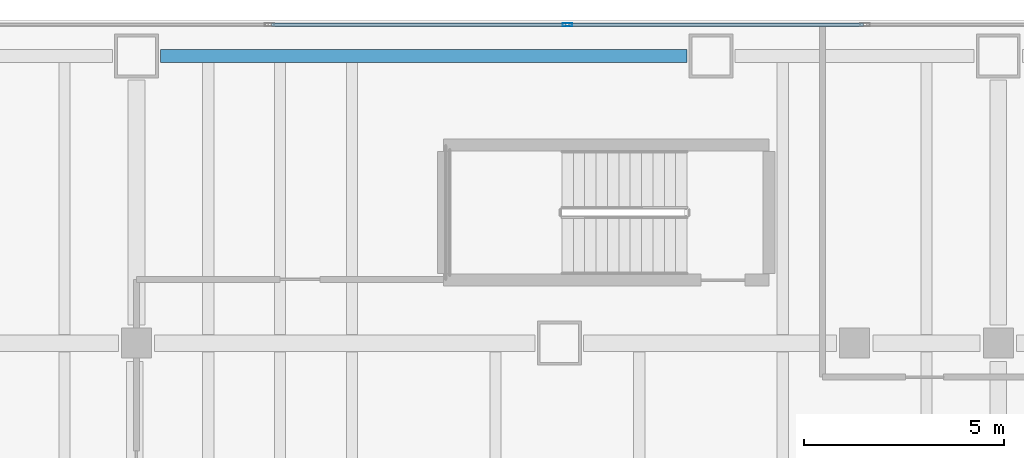
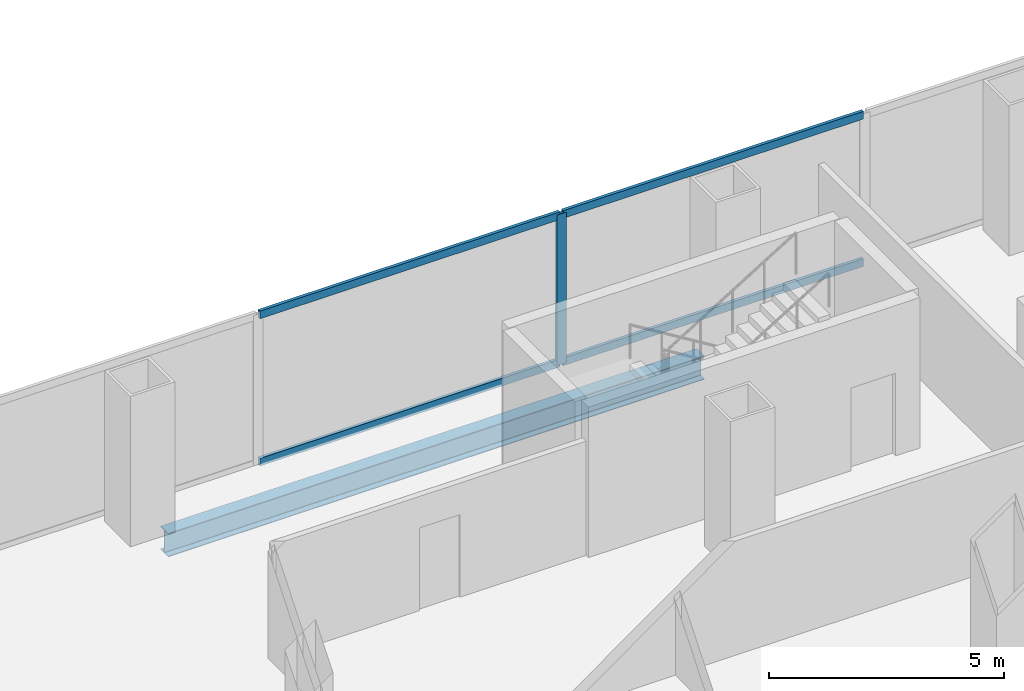
# One storey, part 12 of 28: 5 members, 1 beam, 1 element without a shape of its own.
"""IFC4 building model written with IfcOpenShell, lengths in metres."""

from ifc_helpers import new_model, si_unit, direction, frame, origin, origin_2d, place, context, subcontext, project, spatial, hollow_rectangle, i_section, extrude, material, material_profile, profile_set, type_object, element, aggregate, save


model = new_model("IFC4")

# Units and contexts
model_context = context("Model", 3, precision=1e-05, world=origin(), true_north=direction((0.0, 1.0)))
body_context = subcontext(model_context, "Body", "Model", "MODEL_VIEW")
ifc_project = project(units=[si_unit("LENGTHUNIT", "METRE"), si_unit("AREAUNIT", "SQUARE_METRE"), si_unit("VOLUMEUNIT", "CUBIC_METRE"), si_unit("PLANEANGLEUNIT", "RADIAN"), si_unit("MASSUNIT", "GRAM", prefix="KILO")], contexts=[model_context])

# Site, building, storey
site_placement = place(None, origin())
site = spatial("IfcSite", under=ifc_project, at=site_placement, CompositionType="ELEMENT")
building_placement = place(site_placement, origin())
building = spatial("IfcBuilding", under=site, at=building_placement, Name="Cobrela Telecom Tower", CompositionType="ELEMENT")
storey_placement = place(building_placement, frame((0.0, 0.0, 17.85009765625)))
storey = spatial("IfcBuildingStorey", under=building, at=storey_placement, Name="L04", CompositionType="ELEMENT", Elevation=17.85009765625)

# Beam
ifc_material_1 = material(Name="Steel ASTM A992 Grade 50", Category="steel")
ifc_material_profile_1 = material_profile(ifc_material_1, i_section(OverallWidth=0.324951171875, OverallDepth=0.612060546875, WebThickness=0.0126953125, FlangeThickness=0.01904296875, FilletRadius=0.014892578125, at=origin_2d()), Name="W24X104")
ifc_profile_set_1 = profile_set([ifc_material_profile_1], Name="Steel ASTM A992 Grade 50")
beam_type = type_object("IfcBeamType", Name="BM-SPAND-02", PredefinedType="SPANDREL", material=ifc_profile_set_1)
beam_placement = place(storey_placement, frame((15.0048828125, 49.5, -0.59619140625), z_axis=(1.0, 0.0, 0.0), x_axis=(0.0, 1.0, 0.0)))
element("IfcBeam", 1, at=beam_placement, inside=storey, type_object=beam_type, Name="L04 Perimeter Spandrel X53", PredefinedType="SPANDREL", context=body_context, shape_type="SweptSolid", body=[
    extrude(i_section(OverallWidth=0.324951171875, OverallDepth=0.612060546875, WebThickness=0.0126953125, FlangeThickness=0.01904296875, FilletRadius=0.014892578125, at=origin_2d()), origin(), (0.0, 0.0, 1.0), 13.190185546875),
])

# Curtain wall, members
ifc_material_2 = material(Name="Anodized Bronze Aluminium 6063-T6", Category="aluminium")
curtain_wall_type = type_object("IfcCurtainWallType", Name="CW-SYS-CONC", PredefinedType="USERDEFINED", material=ifc_material_2)
curtain_wall_placement = place(storey_placement, origin())
curtain_wall = element("IfcCurtainWall", 2, at=curtain_wall_placement, inside=storey, type_object=curtain_wall_type, Name="L04 Unitised Bronze Curtain Wall 07", ObjectType="UNITISED CURTAIN WALL", PredefinedType="USERDEFINED")
ifc_material_profile_2 = material_profile(ifc_material_2, hollow_rectangle(XDim=0.080078125, YDim=0.239990234375, WallThickness=0.0048828125, at=origin_2d()), Name="ALU 80x240x5")
ifc_profile_set_2 = profile_set([ifc_material_profile_2], Name="Anodized Bronze Aluminium 6063-T6")
member_type_1 = type_object("IfcMemberType", Name="CW-SYS-CONC-MUL", PredefinedType="MULLION", material=ifc_profile_set_2)
member_1_placement = place(storey_placement, frame((25.199951171875, 50.280029296875, 0.0), z_axis=(0.0, 0.0, 1.0), x_axis=(0.0, 1.0, 0.0)))
member_1 = element("IfcMember", 3, at=member_1_placement, type_object=member_type_1, Name="CW-CONC mullion 4", PredefinedType="MULLION", context=body_context, shape_type="SweptSolid", body=[
    extrude(hollow_rectangle(XDim=0.080078125, YDim=0.239990234375, WallThickness=0.0048828125, at=origin_2d()), origin(), (0.0, 0.0, 1.0), 3.909912109375),
])
ifc_material_profile_3 = material_profile(ifc_material_2, hollow_rectangle(XDim=0.080078125, YDim=0.199951171875, WallThickness=0.00390625, at=origin_2d()), Name="ALU 80x200x4")
ifc_profile_set_3 = profile_set([ifc_material_profile_3], Name="Anodized Bronze Aluminium 6063-T6")
member_type_2 = type_object("IfcMemberType", Name="CW-SYS-CONC-TRN", PredefinedType="USERDEFINED", material=ifc_profile_set_3)
member_2_placement = place(storey_placement, frame((17.780029296875, 50.280029296875, 0.039794921875), z_axis=(1.0, 0.0, 0.0), x_axis=(0.0, 1.0, 0.0)))
member_2 = element("IfcMember", 4, at=member_2_placement, type_object=member_type_2, Name="CW-CONC transom 3.1", ObjectType="TRANSOM", PredefinedType="USERDEFINED", context=body_context, shape_type="SweptSolid", body=[
    extrude(hollow_rectangle(XDim=0.080078125, YDim=0.199951171875, WallThickness=0.00390625, at=origin_2d()), origin(), (0.0, 0.0, 1.0), 7.3798828125),
])
member_3_placement = place(storey_placement, frame((17.780029296875, 50.280029296875, 3.869873046875), z_axis=(1.0, 0.0, 0.0), x_axis=(0.0, 1.0, 0.0)))
member_3 = element("IfcMember", 5, at=member_3_placement, type_object=member_type_2, Name="CW-CONC transom 3.2", ObjectType="TRANSOM", PredefinedType="USERDEFINED", context=body_context, shape_type="SweptSolid", body=[
    extrude(hollow_rectangle(XDim=0.080078125, YDim=0.199951171875, WallThickness=0.00390625, at=origin_2d()), origin(), (0.0, 0.0, 1.0), 7.3798828125),
])
member_4_placement = place(storey_placement, frame((25.239990234375, 50.280029296875, 0.039794921875), z_axis=(1.0, 0.0, 0.0), x_axis=(0.0, 1.0, 0.0)))
member_4 = element("IfcMember", 6, at=member_4_placement, type_object=member_type_2, Name="CW-CONC transom 4.1", ObjectType="TRANSOM", PredefinedType="USERDEFINED", context=body_context, shape_type="SweptSolid", body=[
    extrude(hollow_rectangle(XDim=0.080078125, YDim=0.199951171875, WallThickness=0.00390625, at=origin_2d()), origin(), (0.0, 0.0, 1.0), 7.380126953125),
])
member_5_placement = place(storey_placement, frame((25.239990234375, 50.280029296875, 3.869873046875), z_axis=(1.0, 0.0, 0.0), x_axis=(0.0, 1.0, 0.0)))
member_5 = element("IfcMember", 7, at=member_5_placement, type_object=member_type_2, Name="CW-CONC transom 4.2", ObjectType="TRANSOM", PredefinedType="USERDEFINED", context=body_context, shape_type="SweptSolid", body=[
    extrude(hollow_rectangle(XDim=0.080078125, YDim=0.199951171875, WallThickness=0.00390625, at=origin_2d()), origin(), (0.0, 0.0, 1.0), 7.380126953125),
])
aggregate(curtain_wall, [member_1, member_2, member_3, member_4, member_5])

save(model, "model.ifc")
